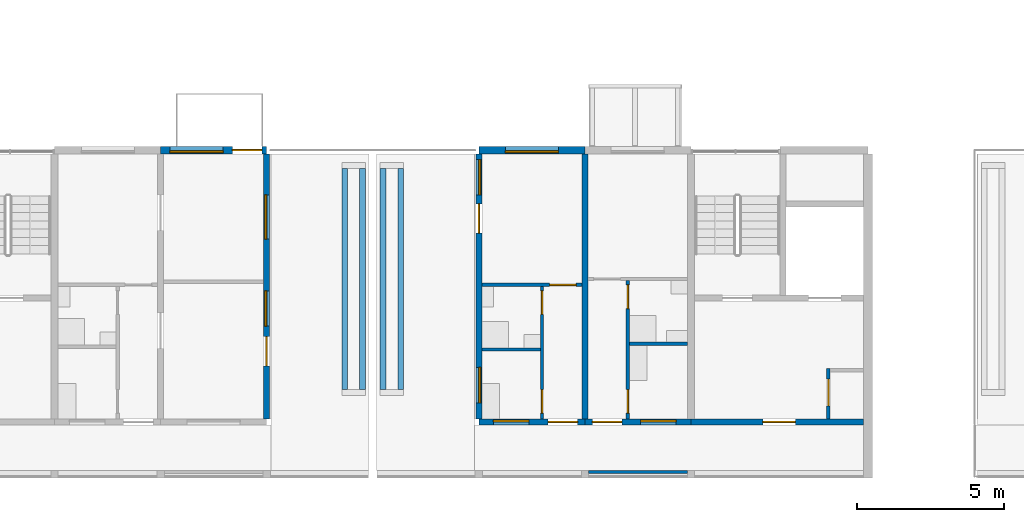
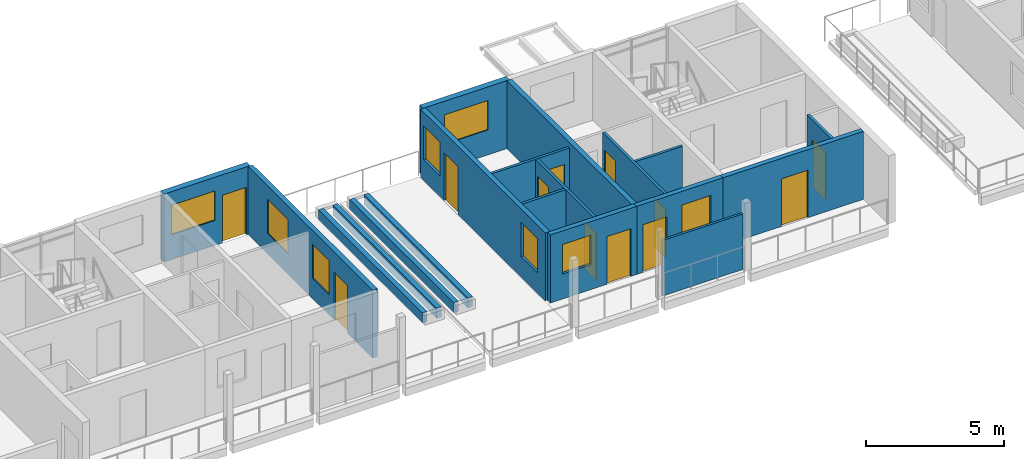
# One storey, part 32 of 55: 19 walls, 12 doors, 8 windows, 20 openings.
"""IFC4 building model written with IfcOpenShell, lengths in metres."""

from ifc_helpers import new_model, si_unit, direction, frame, frame_2d, origin, place, context, subcontext, project, spatial, rectangle, extrude, material, layer, layer_set, type_object, element, fill, save


model = new_model("IFC4")

# Units and contexts
model_context = context("Model", 3, precision=1e-05, world=origin(), true_north=direction((0.0, 1.0)))
body_context = subcontext(model_context, "Body", "Model", "MODEL_VIEW")
ifc_project = project(units=[si_unit("LENGTHUNIT", "METRE"), si_unit("AREAUNIT", "SQUARE_METRE"), si_unit("VOLUMEUNIT", "CUBIC_METRE"), si_unit("PLANEANGLEUNIT", "RADIAN"), si_unit("MASSUNIT", "GRAM", prefix="KILO")], contexts=[model_context])

# Site, building, storey
site_placement = place(None, origin())
site = spatial("IfcSite", under=ifc_project, at=site_placement, CompositionType="ELEMENT")
building_placement = place(site_placement, origin())
building = spatial("IfcBuilding", under=site, at=building_placement, Name="Ridgestep Commons", CompositionType="ELEMENT")
storey_placement = place(building_placement, frame((0.0, 0.0, 36.0)))
storey = spatial("IfcBuildingStorey", under=building, at=storey_placement, Name="L12", CompositionType="ELEMENT", Elevation=36.0)

# Wall, opening, door
ifc_material_1 = material(Name="Concrete C30/37", Category="concrete")
ifc_layer_1 = layer(ifc_material_1, 0.199951171875)
ifc_layer_set_1 = layer_set([ifc_layer_1], Name="Core south wall 200")
wall_type_1 = type_object("IfcWallType", Name="Core south wall 200", PredefinedType="SHEAR", material=ifc_layer_set_1)
wall_1_placement = place(storey_placement, frame((191.199951171875, 13.64990234375, 0.0), z_axis=(0.0, 0.0, 1.0), x_axis=(1.0, 0.0, 0.0)))
wall_1 = element("IfcWall", 1, at=wall_1_placement, inside=storey, type_object=wall_type_1, Name="Core south wall D3C L12", PredefinedType="SHEAR", context=body_context, shape_type="SweptSolid", body=[
    extrude(rectangle(XDim=5.85009765625, YDim=0.199951171875, at=frame_2d((2.925048828125, 0.0))), origin(), (0.0, 0.0, 1.0), 3.0),
])
opening_1_placement = place(wall_1_placement, frame((2.4375, 0.0, 0.0)))
opening_1 = element("IfcOpeningElement", 2, at=opening_1_placement, cuts=wall_1, Name="Opening D3C/12/1", PredefinedType="OPENING", context=body_context, shape_type="SweptSolid", body=[
    extrude(rectangle(XDim=1.10009765625, YDim=2.10009765625, at=frame_2d((0.550048828125, 1.050048828125))), frame((0.0, 0.10986328125, 0.0), z_axis=(0.0, -1.0, 0.0), x_axis=(1.0, 0.0, 0.0)), (0.0, 0.0, 1.0), 0.219970703125),
])
ifc_material_2 = material(Name="Steel fire door", Category="steel")
door_type_1 = type_object("IfcDoorType", Name="Lobby door 1100 x 2100 FD60", OperationType="NOTDEFINED", PredefinedType="DOOR", material=ifc_material_2)
door_1_placement = place(opening_1_placement, origin())
door_1 = element("IfcDoor", 3, at=door_1_placement, inside=storey, type_object=door_type_1, Name="Lobby door D3C/12/1", OperationType="SINGLE_SWING_LEFT", OverallHeight=2.10009765625, OverallWidth=1.10009765625, PredefinedType="DOOR", context=body_context, shape_type="SweptSolid", body=[
    extrude(rectangle(XDim=1.10009765625, YDim=2.10009765625, at=frame_2d((0.550048828125, 1.050048828125))), frame((0.0, 0.02490234375, 0.0), z_axis=(0.0, -1.0, 0.0), x_axis=(1.0, 0.0, 0.0)), (0.0, 0.0, 1.0), 0.050048828125),
])
fill(opening_1, door_1)

ifc_material_3 = material(Name="Concrete C30/37", Category="concrete")
ifc_layer_2 = layer(ifc_material_3, 0.1201171875)
ifc_layer_set_2 = layer_set([ifc_layer_2], Name="Core wall 120")
wall_type_2 = type_object("IfcWallType", Name="Core wall 120", PredefinedType="SHEAR", material=ifc_layer_set_2)
wall_2_placement = place(storey_placement, frame((195.860107421875, 13.75, 0.0), z_axis=(0.0, 0.0, 1.0), x_axis=(0.0, 1.0, 0.0)))
wall_2 = element("IfcWall", 4, at=wall_2_placement, inside=storey, type_object=wall_type_2, Name="Core riser w wall D3C L12", PredefinedType="SHEAR", context=body_context, shape_type="SweptSolid", body=[
    extrude(rectangle(XDim=1.719970703125, YDim=0.1201171875, at=frame_2d((0.85986328125, 0.0))), origin(), (0.0, 0.0, 1.0), 3.0),
])
opening_2_placement = place(wall_2_placement, frame((0.449951171875, 0.0, 0.0)))
opening_2 = element("IfcOpeningElement", 5, at=opening_2_placement, cuts=wall_2, Name="Opening D3C/12/4", PredefinedType="OPENING", context=body_context, shape_type="SweptSolid", body=[
    extrude(rectangle(XDim=0.89990234375, YDim=2.10009765625, at=frame_2d((0.449951171875, 1.050048828125))), frame((0.0, 0.070068359375, 0.0), z_axis=(0.0, -1.0, 0.0), x_axis=(1.0, 0.0, 0.0)), (0.0, 0.0, 1.0), 0.14013671875),
])
ifc_material_4 = material(Name="Steel fire door", Category="steel")
door_type_2 = type_object("IfcDoorType", Name="Riser door 900 x 2100 FD60", OperationType="NOTDEFINED", PredefinedType="DOOR", material=ifc_material_4)
door_2_placement = place(opening_2_placement, origin())
door_2 = element("IfcDoor", 6, at=door_2_placement, inside=storey, type_object=door_type_2, Name="Riser door D3C/12/4", OperationType="SINGLE_SWING_LEFT", OverallHeight=2.10009765625, OverallWidth=0.89990234375, PredefinedType="DOOR", context=body_context, shape_type="SweptSolid", body=[
    extrude(rectangle(XDim=0.89990234375, YDim=2.10009765625, at=frame_2d((0.449951171875, 1.050048828125))), frame((0.0, 0.02490234375, 0.0), z_axis=(0.0, -1.0, 0.0), x_axis=(1.0, 0.0, 0.0)), (0.0, 0.0, 1.0), 0.050048828125),
])
fill(opening_2, door_2)

# Wall
ifc_material_5 = material(Name="Precast concrete C40/50", Category="concrete")
ifc_layer_3 = layer(ifc_material_5, 0.199951171875)
ifc_layer_set_3 = layer_set([ifc_layer_3], Name="Cross wall 200")
wall_type_3 = type_object("IfcWallType", Name="Cross wall 200", PredefinedType="SHEAR", material=ifc_layer_set_3)
wall_3_placement = place(storey_placement, frame((187.60009765625, 13.75, 0.0), z_axis=(0.0, 0.0, 1.0), x_axis=(0.0, 1.0, 0.0)))
element("IfcWall", 7, at=wall_3_placement, inside=storey, type_object=wall_type_3, Name="Cross wall D-12-1876", PredefinedType="SHEAR", context=body_context, shape_type="SweptSolid", body=[
    extrude(rectangle(XDim=9.0, YDim=0.199951171875, at=frame_2d((4.5, 0.0))), origin(), (0.0, 0.0, 1.0), 3.0),
])

# Wall, openings, windows, door
ifc_material_6 = material(Name="Precast concrete C40/50", Category="concrete")
ifc_layer_4 = layer(ifc_material_6, 0.199951171875)
ifc_layer_set_4 = layer_set([ifc_layer_4], Name="Exposed cross wall 200")
wall_type_4 = type_object("IfcWallType", Name="Exposed cross wall 200", PredefinedType="SHEAR", material=ifc_layer_set_4)
wall_4_placement = place(storey_placement, frame((176.800048828125, 13.75, 0.0), z_axis=(0.0, 0.0, 1.0), x_axis=(0.0, 1.0, 0.0)))
wall_4 = element("IfcWall", 8, at=wall_4_placement, inside=storey, type_object=wall_type_4, Name="Cross wall D-12-1768", PredefinedType="SHEAR", context=body_context, shape_type="SweptSolid", body=[
    extrude(rectangle(XDim=9.0, YDim=0.199951171875, at=frame_2d((4.5, 0.0))), origin(), (0.0, 0.0, 1.0), 3.0),
])
opening_3_placement = place(wall_4_placement, frame((3.14990234375, 0.0, 0.89990234375)))
opening_3 = element("IfcOpeningElement", 9, at=opening_3_placement, cuts=wall_4, Name="Opening W10", PredefinedType="OPENING", context=body_context, shape_type="SweptSolid", body=[
    extrude(rectangle(XDim=1.199951171875, YDim=1.5, at=frame_2d((0.60009765625, 0.75))), frame((0.0, 0.10986328125, 0.0), z_axis=(0.0, -1.0, 0.0), x_axis=(1.0, 0.0, 0.0)), (0.0, 0.0, 1.0), 0.219970703125),
])
opening_4_placement = place(wall_4_placement, frame((6.10498046875, 0.0, 0.89990234375)))
opening_4 = element("IfcOpeningElement", 10, at=opening_4_placement, cuts=wall_4, Name="Opening W16", PredefinedType="OPENING", context=body_context, shape_type="SweptSolid", body=[
    extrude(rectangle(XDim=1.5, YDim=1.5, at=frame_2d((0.75, 0.75))), frame((0.0, 0.10986328125, 0.0), z_axis=(0.0, -1.0, 0.0), x_axis=(1.0, 0.0, 0.0)), (0.0, 0.0, 1.0), 0.219970703125),
])
opening_5_placement = place(wall_4_placement, frame((1.800048828125, 0.0, 0.0)))
opening_5 = element("IfcOpeningElement", 11, at=opening_5_placement, cuts=wall_4, Name="Opening D2-12a/7", PredefinedType="OPENING", context=body_context, shape_type="SweptSolid", body=[
    extrude(rectangle(XDim=1.0, YDim=2.10009765625, at=frame_2d((0.5, 1.050048828125))), frame((0.0, 0.10986328125, 0.0), z_axis=(0.0, -1.0, 0.0), x_axis=(1.0, 0.0, 0.0)), (0.0, 0.0, 1.0), 0.219970703125),
])
ifc_material_7 = material(Name="Aluminium 6063-T6 and glass", Category="aluminium")
window_type_1 = type_object("IfcWindowType", Name="Flat window 1200 x 1500", PartitioningType="SINGLE_PANEL", PredefinedType="WINDOW", material=ifc_material_7)
window_1_placement = place(opening_3_placement, origin())
window_1 = element("IfcWindow", 12, at=window_1_placement, inside=storey, type_object=window_type_1, Name="Window D2-12a 5", OverallHeight=1.5, OverallWidth=1.199951171875, PartitioningType="SINGLE_PANEL", PredefinedType="WINDOW", context=body_context, shape_type="SweptSolid", body=[
    extrude(rectangle(XDim=1.199951171875, YDim=1.5, at=frame_2d((0.60009765625, 0.75))), frame((0.0, 0.06005859375, 0.0), z_axis=(0.0, -1.0, 0.0), x_axis=(1.0, 0.0, 0.0)), (0.0, 0.0, 1.0), 0.06005859375),
])
fill(opening_3, window_1)
ifc_material_8 = material(Name="Aluminium 6063-T6 and glass", Category="aluminium")
window_type_2 = type_object("IfcWindowType", Name="Flat window 1500 x 1500", PartitioningType="DOUBLE_PANEL_VERTICAL", PredefinedType="WINDOW", material=ifc_material_8)
window_2_placement = place(opening_4_placement, origin())
window_2 = element("IfcWindow", 13, at=window_2_placement, inside=storey, type_object=window_type_2, Name="Window D2-12a 6", OverallHeight=1.5, OverallWidth=1.5, PartitioningType="SINGLE_PANEL", PredefinedType="WINDOW", context=body_context, shape_type="SweptSolid", body=[
    extrude(rectangle(XDim=1.5, YDim=1.5, at=frame_2d((0.75, 0.75))), frame((0.0, 0.06005859375, 0.0), z_axis=(0.0, -1.0, 0.0), x_axis=(1.0, 0.0, 0.0)), (0.0, 0.0, 1.0), 0.06005859375),
])
fill(opening_4, window_2)
ifc_material_9 = material(Name="Aluminium and glass", Category="aluminium")
door_type_3 = type_object("IfcDoorType", Name="Terrace door 1000 x 2100", OperationType="NOTDEFINED", PredefinedType="DOOR", material=ifc_material_9)
door_3_placement = place(opening_5_placement, origin())
door_3 = element("IfcDoor", 14, at=door_3_placement, inside=storey, type_object=door_type_3, Name="Terrace door D2-12a/7", OperationType="SINGLE_SWING_LEFT", OverallHeight=2.10009765625, OverallWidth=1.0, PredefinedType="DOOR", context=body_context, shape_type="SweptSolid", body=[
    extrude(rectangle(XDim=1.0, YDim=2.10009765625, at=frame_2d((0.5, 1.050048828125))), frame((0.0, 0.02490234375, 0.0), z_axis=(0.0, -1.0, 0.0), x_axis=(1.0, 0.0, 0.0)), (0.0, 0.0, 1.0), 0.050048828125),
])
fill(opening_5, door_3)

wall_5_placement = place(storey_placement, frame((184.0, 13.75, 0.0), z_axis=(0.0, 0.0, 1.0), x_axis=(0.0, 1.0, 0.0)))
wall_5 = element("IfcWall", 15, at=wall_5_placement, inside=storey, type_object=wall_type_4, Name="Cross wall D-12-1840", PredefinedType="SHEAR", context=body_context, shape_type="SweptSolid", body=[
    extrude(rectangle(XDim=9.0, YDim=0.199951171875, at=frame_2d((4.5, 0.0))), origin(), (0.0, 0.0, 1.0), 3.0),
])
opening_6_placement = place(wall_5_placement, frame((0.550048828125, 0.0, 0.89990234375)))
opening_6 = element("IfcOpeningElement", 16, at=opening_6_placement, cuts=wall_5, Name="Opening W10", PredefinedType="OPENING", context=body_context, shape_type="SweptSolid", body=[
    extrude(rectangle(XDim=1.199951171875, YDim=1.5, at=frame_2d((0.60009765625, 0.75))), frame((0.0, 0.10986328125, 0.0), z_axis=(0.0, -1.0, 0.0), x_axis=(1.0, 0.0, 0.0)), (0.0, 0.0, 1.0), 0.219970703125),
])
opening_7_placement = place(wall_5_placement, frame((7.6025390625, 0.0, 0.89990234375)))
opening_7 = element("IfcOpeningElement", 17, at=opening_7_placement, cuts=wall_5, Name="Opening W10", PredefinedType="OPENING", context=body_context, shape_type="SweptSolid", body=[
    extrude(rectangle(XDim=1.199951171875, YDim=1.5, at=frame_2d((0.60009765625, 0.75))), frame((0.0, 0.10986328125, 0.0), z_axis=(0.0, -1.0, 0.0), x_axis=(1.0, 0.0, 0.0)), (0.0, 0.0, 1.0), 0.219970703125),
])
opening_8_placement = place(wall_5_placement, frame((6.304931640625, 0.0, 0.0)))
opening_8 = element("IfcOpeningElement", 18, at=opening_8_placement, cuts=wall_5, Name="Opening D3-12a/5", PredefinedType="OPENING", context=body_context, shape_type="SweptSolid", body=[
    extrude(rectangle(XDim=1.0, YDim=2.10009765625, at=frame_2d((0.5, 1.050048828125))), frame((0.0, 0.10986328125, 0.0), z_axis=(0.0, -1.0, 0.0), x_axis=(1.0, 0.0, 0.0)), (0.0, 0.0, 1.0), 0.219970703125),
])
window_3_placement = place(opening_6_placement, origin())
window_3 = element("IfcWindow", 19, at=window_3_placement, inside=storey, type_object=window_type_1, Name="Window D3-12a 3", OverallHeight=1.5, OverallWidth=1.199951171875, PartitioningType="SINGLE_PANEL", PredefinedType="WINDOW", context=body_context, shape_type="SweptSolid", body=[
    extrude(rectangle(XDim=1.199951171875, YDim=1.5, at=frame_2d((0.60009765625, 0.75))), frame((0.0, 0.0, 0.0), z_axis=(0.0, -1.0, 0.0), x_axis=(1.0, 0.0, 0.0)), (0.0, 0.0, 1.0), 0.06005859375),
])
fill(opening_6, window_3)
window_4_placement = place(opening_7_placement, origin())
window_4 = element("IfcWindow", 20, at=window_4_placement, inside=storey, type_object=window_type_1, Name="Window D3-12a 4", OverallHeight=1.5, OverallWidth=1.199951171875, PartitioningType="SINGLE_PANEL", PredefinedType="WINDOW", context=body_context, shape_type="SweptSolid", body=[
    extrude(rectangle(XDim=1.199951171875, YDim=1.5, at=frame_2d((0.60009765625, 0.75))), frame((0.0, 0.0, 0.0), z_axis=(0.0, -1.0, 0.0), x_axis=(1.0, 0.0, 0.0)), (0.0, 0.0, 1.0), 0.06005859375),
])
fill(opening_7, window_4)
door_4_placement = place(opening_8_placement, origin())
door_4 = element("IfcDoor", 21, at=door_4_placement, inside=storey, type_object=door_type_3, Name="Terrace door D3-12a/5", OperationType="SINGLE_SWING_RIGHT", OverallHeight=2.10009765625, OverallWidth=1.0, PredefinedType="DOOR", context=body_context, shape_type="SweptSolid", body=[
    extrude(rectangle(XDim=1.0, YDim=2.10009765625, at=frame_2d((0.5, 1.050048828125))), frame((0.0, 0.02490234375, 0.0), z_axis=(0.0, -1.0, 0.0), x_axis=(1.0, 0.0, 0.0)), (0.0, 0.0, 1.0), 0.050048828125),
])
fill(opening_8, door_4)

# Wall, openings, door, window
ifc_material_10 = material(Name="Precast concrete C40/50", Category="concrete")
ifc_layer_5 = layer(ifc_material_10, 0.25)
ifc_layer_set_5 = layer_set([ifc_layer_5], Name="North facade panel 250")
wall_type_5 = type_object("IfcWallType", Name="North facade panel 250", PredefinedType="SOLIDWALL", material=ifc_layer_set_5)
wall_6_placement = place(storey_placement, frame((173.199951171875, 22.875, 0.0), z_axis=(0.0, 0.0, 1.0), x_axis=(1.0, 0.0, 0.0)))
wall_6 = element("IfcWall", 22, at=wall_6_placement, inside=storey, type_object=wall_type_5, Name="North panel D2T2 L12", PredefinedType="SOLIDWALL", context=body_context, shape_type="SweptSolid", body=[
    extrude(rectangle(XDim=3.60009765625, YDim=0.25, at=frame_2d((1.800048828125, 0.0))), origin(), (0.0, 0.0, 1.0), 3.0),
])
opening_9_placement = place(wall_6_placement, frame((0.319091796875, 0.0, 1.10009765625)))
opening_9 = element("IfcOpeningElement", 23, at=opening_9_placement, cuts=wall_6, Name="Opening W18", PredefinedType="OPENING", context=body_context, shape_type="SweptSolid", body=[
    extrude(rectangle(XDim=1.800048828125, YDim=1.300048828125, at=frame_2d((0.89990234375, 0.64990234375))), frame((0.0, 0.135009765625, 0.0), z_axis=(0.0, -1.0, 0.0), x_axis=(1.0, 0.0, 0.0)), (0.0, 0.0, 1.0), 0.27001953125),
])
opening_10_placement = place(wall_6_placement, frame((2.43798828125, 0.0, 0.0)))
opening_10 = element("IfcOpeningElement", 24, at=opening_10_placement, cuts=wall_6, Name="Opening D2-12a/8", PredefinedType="OPENING", context=body_context, shape_type="SweptSolid", body=[
    extrude(rectangle(XDim=1.0, YDim=2.10009765625, at=frame_2d((0.5, 1.050048828125))), frame((0.0, 0.135009765625, 0.0), z_axis=(0.0, -1.0, 0.0), x_axis=(1.0, 0.0, 0.0)), (0.0, 0.0, 1.0), 0.27001953125),
])
ifc_material_11 = material(Name="Aluminium and glass", Category="aluminium")
door_type_4 = type_object("IfcDoorType", Name="Balcony door 1000 x 2100", OperationType="NOTDEFINED", PredefinedType="DOOR", material=ifc_material_11)
door_5_placement = place(opening_10_placement, origin())
door_5 = element("IfcDoor", 25, at=door_5_placement, inside=storey, type_object=door_type_4, Name="Balcony door D2-12a/8", OperationType="SINGLE_SWING_LEFT", OverallHeight=2.10009765625, OverallWidth=1.0, PredefinedType="DOOR", context=body_context, shape_type="SweptSolid", body=[
    extrude(rectangle(XDim=1.0, YDim=2.10009765625, at=frame_2d((0.5, 1.050048828125))), frame((0.0, 0.02490234375, 0.0), z_axis=(0.0, -1.0, 0.0), x_axis=(1.0, 0.0, 0.0)), (0.0, 0.0, 1.0), 0.050048828125),
])
fill(opening_10, door_5)
ifc_material_12 = material(Name="Aluminium 6063-T6 and glass", Category="aluminium")
window_type_3 = type_object("IfcWindowType", Name="Flat window 1800 x 1300", PartitioningType="DOUBLE_PANEL_VERTICAL", PredefinedType="WINDOW", material=ifc_material_12)
window_5_placement = place(opening_9_placement, origin())
window_5 = element("IfcWindow", 26, at=window_5_placement, inside=storey, type_object=window_type_3, Name="Window D2-12a 2", OverallHeight=1.300048828125, OverallWidth=1.800048828125, PartitioningType="SINGLE_PANEL", PredefinedType="WINDOW", context=body_context, shape_type="SweptSolid", body=[
    extrude(rectangle(XDim=1.800048828125, YDim=1.300048828125, at=frame_2d((0.89990234375, 0.64990234375))), frame((0.0, -0.02490234375, 0.0), z_axis=(0.0, -1.0, 0.0), x_axis=(1.0, 0.0, 0.0)), (0.0, 0.0, 1.0), 0.06005859375),
])
fill(opening_9, window_5)

# Wall, opening, window
wall_7_placement = place(storey_placement, frame((184.0, 22.875, 0.0), z_axis=(0.0, 0.0, 1.0), x_axis=(1.0, 0.0, 0.0)))
wall_7 = element("IfcWall", 27, at=wall_7_placement, inside=storey, type_object=wall_type_5, Name="North panel D3T2 L12", PredefinedType="SOLIDWALL", context=body_context, shape_type="SweptSolid", body=[
    extrude(rectangle(XDim=3.60009765625, YDim=0.25, at=frame_2d((1.800048828125, 0.0))), origin(), (0.0, 0.0, 1.0), 3.0),
])
opening_11_placement = place(wall_7_placement, frame((0.89990234375, 0.0, 1.10009765625)))
opening_11 = element("IfcOpeningElement", 28, at=opening_11_placement, cuts=wall_7, Name="Opening W18", PredefinedType="OPENING", context=body_context, shape_type="SweptSolid", body=[
    extrude(rectangle(XDim=1.800048828125, YDim=1.300048828125, at=frame_2d((0.89990234375, 0.64990234375))), frame((0.0, 0.135009765625, 0.0), z_axis=(0.0, -1.0, 0.0), x_axis=(1.0, 0.0, 0.0)), (0.0, 0.0, 1.0), 0.27001953125),
])
window_6_placement = place(opening_11_placement, origin())
window_6 = element("IfcWindow", 29, at=window_6_placement, inside=storey, type_object=window_type_3, Name="Window D3-12a 2", OverallHeight=1.300048828125, OverallWidth=1.800048828125, PartitioningType="SINGLE_PANEL", PredefinedType="WINDOW", context=body_context, shape_type="SweptSolid", body=[
    extrude(rectangle(XDim=1.800048828125, YDim=1.300048828125, at=frame_2d((0.89990234375, 0.64990234375))), frame((0.0, -0.02490234375, 0.0), z_axis=(0.0, -1.0, 0.0), x_axis=(1.0, 0.0, 0.0)), (0.0, 0.0, 1.0), 0.06005859375),
])
fill(opening_11, window_6)

# Wall
ifc_material_13 = material(Name="Common brick 110 mm", Category="masonry")
ifc_layer_6 = layer(ifc_material_13, 0.110107421875)
ifc_layer_set_6 = layer_set([ifc_layer_6], Name="Partition 110")
wall_type_6 = type_object("IfcWallType", Name="Partition 110", PredefinedType="PARTITIONING", material=ifc_layer_set_6)
wall_8_placement = place(storey_placement, frame((184.10009765625, 16.10498046875, 0.0), z_axis=(0.0, 0.0, 1.0), x_axis=(1.0, 0.0, 0.0)))
element("IfcWall", 30, at=wall_8_placement, inside=storey, type_object=wall_type_6, Name="Partition D3-12a", PredefinedType="PARTITIONING", context=body_context, shape_type="SweptSolid", body=[
    extrude(rectangle(XDim=1.989990234375, YDim=0.110107421875, at=frame_2d((0.9951171875, 0.0))), origin(), (0.0, 0.0, 1.0), 2.75),
])

# Wall, openings, doors
wall_9_placement = place(storey_placement, frame((186.14501953125, 13.75, 0.0), z_axis=(0.0, 0.0, 1.0), x_axis=(0.0, 1.0, 0.0)))
wall_9 = element("IfcWall", 31, at=wall_9_placement, inside=storey, type_object=wall_type_6, Name="Partition D3-12a", PredefinedType="PARTITIONING", context=body_context, shape_type="SweptSolid", body=[
    extrude(rectangle(XDim=4.5, YDim=0.110107421875, at=frame_2d((2.25, 0.0))), origin(), (0.0, 0.0, 1.0), 2.75),
])
opening_12_placement = place(wall_9_placement, frame((0.199951171875, 0.0, 0.0)))
opening_12 = element("IfcOpeningElement", 32, at=opening_12_placement, cuts=wall_9, Name="Opening D3-12a/2", PredefinedType="OPENING", context=body_context, shape_type="SweptSolid", body=[
    extrude(rectangle(XDim=0.800048828125, YDim=2.10009765625, at=frame_2d((0.39990234375, 1.050048828125))), frame((0.0, 0.06494140625, 0.0), z_axis=(0.0, -1.0, 0.0), x_axis=(1.0, 0.0, 0.0)), (0.0, 0.0, 1.0), 0.130126953125),
])
opening_13_placement = place(wall_9_placement, frame((3.550048828125, 0.0, 0.0)))
opening_13 = element("IfcOpeningElement", 33, at=opening_13_placement, cuts=wall_9, Name="Opening D3-12a/3", PredefinedType="OPENING", context=body_context, shape_type="SweptSolid", body=[
    extrude(rectangle(XDim=0.800048828125, YDim=2.10009765625, at=frame_2d((0.39990234375, 1.050048828125))), frame((0.0, 0.06494140625, 0.0), z_axis=(0.0, -1.0, 0.0), x_axis=(1.0, 0.0, 0.0)), (0.0, 0.0, 1.0), 0.130126953125),
])
ifc_material_14 = material(Name="Timber door leaf", Category="wood")
door_type_5 = type_object("IfcDoorType", Name="Internal door 800 x 2100", OperationType="NOTDEFINED", PredefinedType="DOOR", material=ifc_material_14)
door_6_placement = place(opening_12_placement, origin())
door_6 = element("IfcDoor", 34, at=door_6_placement, inside=storey, type_object=door_type_5, Name="Internal door D3-12a/2", OperationType="SINGLE_SWING_LEFT", OverallHeight=2.10009765625, OverallWidth=0.800048828125, PredefinedType="DOOR", context=body_context, shape_type="SweptSolid", body=[
    extrude(rectangle(XDim=0.800048828125, YDim=2.10009765625, at=frame_2d((0.39990234375, 1.050048828125))), frame((0.0, 0.02490234375, 0.0), z_axis=(0.0, -1.0, 0.0), x_axis=(1.0, 0.0, 0.0)), (0.0, 0.0, 1.0), 0.050048828125),
])
fill(opening_12, door_6)
door_7_placement = place(opening_13_placement, origin())
door_7 = element("IfcDoor", 35, at=door_7_placement, inside=storey, type_object=door_type_5, Name="Internal door D3-12a/3", OperationType="SINGLE_SWING_RIGHT", OverallHeight=2.10009765625, OverallWidth=0.800048828125, PredefinedType="DOOR", context=body_context, shape_type="SweptSolid", body=[
    extrude(rectangle(XDim=0.800048828125, YDim=2.10009765625, at=frame_2d((0.39990234375, 1.050048828125))), frame((0.0, 0.02490234375, 0.0), z_axis=(0.0, -1.0, 0.0), x_axis=(1.0, 0.0, 0.0)), (0.0, 0.0, 1.0), 0.050048828125),
])
fill(opening_13, door_7)

# Wall, opening, door
wall_10_placement = place(storey_placement, frame((184.10009765625, 18.304931640625, 0.0), z_axis=(0.0, 0.0, 1.0), x_axis=(1.0, 0.0, 0.0)))
wall_10 = element("IfcWall", 36, at=wall_10_placement, inside=storey, type_object=wall_type_6, Name="Partition D3-12a", PredefinedType="PARTITIONING", context=body_context, shape_type="SweptSolid", body=[
    extrude(rectangle(XDim=3.39990234375, YDim=0.110107421875, at=frame_2d((1.699951171875, 0.0))), origin(), (0.0, 0.0, 1.0), 2.75),
])
opening_14_placement = place(wall_10_placement, frame((2.300048828125, 0.0, 0.0)))
opening_14 = element("IfcOpeningElement", 37, at=opening_14_placement, cuts=wall_10, Name="Opening D3-12a/4", PredefinedType="OPENING", context=body_context, shape_type="SweptSolid", body=[
    extrude(rectangle(XDim=0.89990234375, YDim=2.10009765625, at=frame_2d((0.449951171875, 1.050048828125))), frame((0.0, 0.06494140625, 0.0), z_axis=(0.0, -1.0, 0.0), x_axis=(1.0, 0.0, 0.0)), (0.0, 0.0, 1.0), 0.130126953125),
])
ifc_material_15 = material(Name="Timber door leaf", Category="wood")
door_type_6 = type_object("IfcDoorType", Name="Internal door 900 x 2100", OperationType="NOTDEFINED", PredefinedType="DOOR", material=ifc_material_15)
door_8_placement = place(opening_14_placement, origin())
door_8 = element("IfcDoor", 38, at=door_8_placement, inside=storey, type_object=door_type_6, Name="Internal door D3-12a/4", OperationType="SINGLE_SWING_LEFT", OverallHeight=2.10009765625, OverallWidth=0.89990234375, PredefinedType="DOOR", context=body_context, shape_type="SweptSolid", body=[
    extrude(rectangle(XDim=0.89990234375, YDim=2.10009765625, at=frame_2d((0.449951171875, 1.050048828125))), frame((0.0, 0.02490234375, 0.0), z_axis=(0.0, -1.0, 0.0), x_axis=(1.0, 0.0, 0.0)), (0.0, 0.0, 1.0), 0.050048828125),
])
fill(opening_14, door_8)

# Wall, openings, doors
wall_11_placement = place(storey_placement, frame((189.054931640625, 13.75, 0.0), z_axis=(0.0, 0.0, 1.0), x_axis=(0.0, 1.0, 0.0)))
wall_11 = element("IfcWall", 39, at=wall_11_placement, inside=storey, type_object=wall_type_6, Name="Partition D3-12b", PredefinedType="PARTITIONING", context=body_context, shape_type="SweptSolid", body=[
    extrude(rectangle(XDim=4.699951171875, YDim=0.110107421875, at=frame_2d((2.35009765625, 0.0))), origin(), (0.0, 0.0, 1.0), 2.800048828125),
])
opening_15_placement = place(wall_11_placement, frame((0.199951171875, 0.0, 0.0)))
opening_15 = element("IfcOpeningElement", 40, at=opening_15_placement, cuts=wall_11, Name="Opening D3-12b/2", PredefinedType="OPENING", context=body_context, shape_type="SweptSolid", body=[
    extrude(rectangle(XDim=0.800048828125, YDim=2.10009765625, at=frame_2d((0.39990234375, 1.050048828125))), frame((0.0, 0.06494140625, 0.0), z_axis=(0.0, -1.0, 0.0), x_axis=(1.0, 0.0, 0.0)), (0.0, 0.0, 1.0), 0.130126953125),
])
opening_16_placement = place(wall_11_placement, frame((3.75, 0.0, 0.0)))
opening_16 = element("IfcOpeningElement", 41, at=opening_16_placement, cuts=wall_11, Name="Opening D3-12b/3", PredefinedType="OPENING", context=body_context, shape_type="SweptSolid", body=[
    extrude(rectangle(XDim=0.800048828125, YDim=2.10009765625, at=frame_2d((0.39990234375, 1.050048828125))), frame((0.0, 0.06494140625, 0.0), z_axis=(0.0, -1.0, 0.0), x_axis=(1.0, 0.0, 0.0)), (0.0, 0.0, 1.0), 0.130126953125),
])
door_9_placement = place(opening_15_placement, origin())
door_9 = element("IfcDoor", 42, at=door_9_placement, inside=storey, type_object=door_type_5, Name="Internal door D3-12b/2", OperationType="SINGLE_SWING_RIGHT", OverallHeight=2.10009765625, OverallWidth=0.800048828125, PredefinedType="DOOR", context=body_context, shape_type="SweptSolid", body=[
    extrude(rectangle(XDim=0.800048828125, YDim=2.10009765625, at=frame_2d((0.39990234375, 1.050048828125))), frame((0.0, 0.02490234375, 0.0), z_axis=(0.0, -1.0, 0.0), x_axis=(1.0, 0.0, 0.0)), (0.0, 0.0, 1.0), 0.050048828125),
])
fill(opening_15, door_9)
door_10_placement = place(opening_16_placement, origin())
door_10 = element("IfcDoor", 43, at=door_10_placement, inside=storey, type_object=door_type_5, Name="Internal door D3-12b/3", OperationType="SINGLE_SWING_LEFT", OverallHeight=2.10009765625, OverallWidth=0.800048828125, PredefinedType="DOOR", context=body_context, shape_type="SweptSolid", body=[
    extrude(rectangle(XDim=0.800048828125, YDim=2.10009765625, at=frame_2d((0.39990234375, 1.050048828125))), frame((0.0, 0.02490234375, 0.0), z_axis=(0.0, -1.0, 0.0), x_axis=(1.0, 0.0, 0.0)), (0.0, 0.0, 1.0), 0.050048828125),
])
fill(opening_16, door_10)

# Walls
wall_12_placement = place(storey_placement, frame((189.110107421875, 16.304931640625, 0.0), z_axis=(0.0, 0.0, 1.0), x_axis=(1.0, 0.0, 0.0)))
element("IfcWall", 44, at=wall_12_placement, inside=storey, type_object=wall_type_6, Name="Partition D3-12b", PredefinedType="PARTITIONING", context=body_context, shape_type="SweptSolid", body=[
    extrude(rectangle(XDim=1.96484375, YDim=0.110107421875, at=frame_2d((0.982421875, 0.0))), origin(), (0.0, 0.0, 1.0), 2.800048828125),
])
ifc_material_16 = material(Name="Precast concrete C30/37", Category="concrete")
ifc_layer_7 = layer(ifc_material_16, 0.10009765625)
ifc_layer_set_7 = layer_set([ifc_layer_7], Name="Perforated gallery screen 3350 x 2450 x 100")
wall_type_7 = type_object("IfcWallType", Name="Perforated gallery screen 3350 x 2450 x 100", PredefinedType="SOLIDWALL", material=ifc_layer_set_7)
wall_13_placement = place(storey_placement, frame((187.72509765625, 11.949951171875, 0.0), z_axis=(0.0, 0.0, 1.0), x_axis=(1.0, 0.0, 0.0)))
element("IfcWall", 45, at=wall_13_placement, inside=storey, type_object=wall_type_7, Name="Gallery screen D3T3 12", PredefinedType="SOLIDWALL", context=body_context, shape_type="SweptSolid", body=[
    extrude(rectangle(XDim=3.349853515625, YDim=0.10009765625, at=frame_2d((1.6748046875, 0.0))), origin(), (0.0, 0.0, 1.0), 2.449951171875),
])
ifc_material_17 = material(Name="Facing brick", Category="masonry")
ifc_layer_8 = layer(ifc_material_17, 0.199951171875)
ifc_layer_set_8 = layer_set([ifc_layer_8], Name="Planter wall 200")
wall_type_8 = type_object("IfcWallType", Name="Planter wall 200", PredefinedType="SOLIDWALL", material=ifc_layer_set_8)
for number, where, z_axis, x_axis, name in (
    (46, (179.449951171875, 14.75, 0.010009765625), (0.0, 0.0, 1.0), (0.0, 1.0, 0.0), "Planter wall D2R1W"),
    (47, (180.050048828125, 14.75, 0.010009765625), (0.0, 0.0, 1.0), (0.0, 1.0, 0.0), "Planter wall D2R1E"),
    (48, (180.75, 14.75, 0.010009765625), (0.0, 0.0, 1.0), (0.0, 1.0, 0.0), "Planter wall D3R1W"),
    (49, (181.35009765625, 14.75, 0.010009765625), (0.0, 0.0, 1.0), (0.0, 1.0, 0.0), "Planter wall D3R1E"),
):
    element("IfcWall", number, at=place(storey_placement, frame(where, z_axis=z_axis, x_axis=x_axis)), inside=storey, type_object=wall_type_8, Name=name, PredefinedType="SOLIDWALL", context=body_context, shape_type="SweptSolid", body=[
        extrude(rectangle(XDim=7.5, YDim=0.199951171875, at=frame_2d((3.75, 0.0))), origin(), (0.0, 0.0, 1.0), 0.449951171875),
    ])

# Wall, openings, door, window
ifc_material_18 = material(Name="Precast concrete C40/50", Category="concrete")
ifc_layer_9 = layer(ifc_material_18, 0.199951171875)
ifc_layer_set_9 = layer_set([ifc_layer_9], Name="South facade panel 200")
wall_type_9 = type_object("IfcWallType", Name="South facade panel 200", PredefinedType="SOLIDWALL", material=ifc_layer_set_9)
wall_14_placement = place(storey_placement, frame((184.0, 13.64990234375, 0.0), z_axis=(0.0, 0.0, 1.0), x_axis=(1.0, 0.0, 0.0)))
wall_14 = element("IfcWall", 50, at=wall_14_placement, inside=storey, type_object=wall_type_9, Name="South panel D3T2 L12", PredefinedType="SOLIDWALL", context=body_context, shape_type="SweptSolid", body=[
    extrude(rectangle(XDim=3.60009765625, YDim=0.199951171875, at=frame_2d((1.800048828125, 0.0))), origin(), (0.0, 0.0, 1.0), 3.0),
])
opening_17_placement = place(wall_14_placement, frame((0.4951171875, 0.0, 1.10009765625)))
opening_17 = element("IfcOpeningElement", 51, at=opening_17_placement, cuts=wall_14, Name="Opening W08", PredefinedType="OPENING", context=body_context, shape_type="SweptSolid", body=[
    extrude(rectangle(XDim=1.199951171875, YDim=1.300048828125, at=frame_2d((0.60009765625, 0.64990234375))), frame((0.0, 0.10986328125, 0.0), z_axis=(0.0, -1.0, 0.0), x_axis=(1.0, 0.0, 0.0)), (0.0, 0.0, 1.0), 0.219970703125),
])
opening_18_placement = place(wall_14_placement, frame((2.35009765625, 0.0, 0.0)))
opening_18 = element("IfcOpeningElement", 52, at=opening_18_placement, cuts=wall_14, Name="Opening D3-12a/1", PredefinedType="OPENING", context=body_context, shape_type="SweptSolid", body=[
    extrude(rectangle(XDim=1.0, YDim=2.10009765625, at=frame_2d((0.5, 1.050048828125))), frame((0.0, 0.10986328125, 0.0), z_axis=(0.0, -1.0, 0.0), x_axis=(1.0, 0.0, 0.0)), (0.0, 0.0, 1.0), 0.219970703125),
])
ifc_material_19 = material(Name="Timber door leaf", Category="wood")
door_type_7 = type_object("IfcDoorType", Name="Flat entrance door 1000 x 2100 FD30S", OperationType="NOTDEFINED", PredefinedType="DOOR", material=ifc_material_19)
door_11_placement = place(opening_18_placement, origin())
door_11 = element("IfcDoor", 53, at=door_11_placement, inside=storey, type_object=door_type_7, Name="Flat entrance door D3-12a/1", OperationType="SINGLE_SWING_RIGHT", OverallHeight=2.10009765625, OverallWidth=1.0, PredefinedType="DOOR", context=body_context, shape_type="SweptSolid", body=[
    extrude(rectangle(XDim=1.0, YDim=2.10009765625, at=frame_2d((0.5, 1.050048828125))), frame((0.0, 0.02490234375, 0.0), z_axis=(0.0, -1.0, 0.0), x_axis=(1.0, 0.0, 0.0)), (0.0, 0.0, 1.0), 0.050048828125),
])
fill(opening_18, door_11)
ifc_material_20 = material(Name="Aluminium 6063-T6 and glass", Category="aluminium")
window_type_4 = type_object("IfcWindowType", Name="Flat window 1200 x 1300", PartitioningType="SINGLE_PANEL", PredefinedType="WINDOW", material=ifc_material_20)
window_7_placement = place(opening_17_placement, origin())
window_7 = element("IfcWindow", 54, at=window_7_placement, inside=storey, type_object=window_type_4, Name="Window D3-12a 1", OverallHeight=1.300048828125, OverallWidth=1.199951171875, PartitioningType="SINGLE_PANEL", PredefinedType="WINDOW", context=body_context, shape_type="SweptSolid", body=[
    extrude(rectangle(XDim=1.199951171875, YDim=1.300048828125, at=frame_2d((0.60009765625, 0.64990234375))), frame((0.0, 0.06005859375, 0.0), z_axis=(0.0, -1.0, 0.0), x_axis=(1.0, 0.0, 0.0)), (0.0, 0.0, 1.0), 0.06005859375),
])
fill(opening_17, window_7)

wall_15_placement = place(storey_placement, frame((187.60009765625, 13.64990234375, 0.0), z_axis=(0.0, 0.0, 1.0), x_axis=(1.0, 0.0, 0.0)))
wall_15 = element("IfcWall", 55, at=wall_15_placement, inside=storey, type_object=wall_type_9, Name="South panel D3T3 L12", PredefinedType="SOLIDWALL", context=body_context, shape_type="SweptSolid", body=[
    extrude(rectangle(XDim=3.599853515625, YDim=0.199951171875, at=frame_2d((1.7998046875, 0.0))), origin(), (0.0, 0.0, 1.0), 3.0),
])
opening_19_placement = place(wall_15_placement, frame((1.892578125, 0.0, 1.10009765625)))
opening_19 = element("IfcOpeningElement", 56, at=opening_19_placement, cuts=wall_15, Name="Opening W08", PredefinedType="OPENING", context=body_context, shape_type="SweptSolid", body=[
    extrude(rectangle(XDim=1.199951171875, YDim=1.300048828125, at=frame_2d((0.60009765625, 0.64990234375))), frame((0.0, 0.10986328125, 0.0), z_axis=(0.0, -1.0, 0.0), x_axis=(1.0, 0.0, 0.0)), (0.0, 0.0, 1.0), 0.219970703125),
])
opening_20_placement = place(wall_15_placement, frame((0.25, 0.0, 0.0)))
opening_20 = element("IfcOpeningElement", 57, at=opening_20_placement, cuts=wall_15, Name="Opening D3-12b/1", PredefinedType="OPENING", context=body_context, shape_type="SweptSolid", body=[
    extrude(rectangle(XDim=1.0, YDim=2.10009765625, at=frame_2d((0.5, 1.050048828125))), frame((0.0, 0.10986328125, 0.0), z_axis=(0.0, -1.0, 0.0), x_axis=(1.0, 0.0, 0.0)), (0.0, 0.0, 1.0), 0.219970703125),
])
door_12_placement = place(opening_20_placement, origin())
door_12 = element("IfcDoor", 58, at=door_12_placement, inside=storey, type_object=door_type_7, Name="Flat entrance door D3-12b/1", OperationType="SINGLE_SWING_LEFT", OverallHeight=2.10009765625, OverallWidth=1.0, PredefinedType="DOOR", context=body_context, shape_type="SweptSolid", body=[
    extrude(rectangle(XDim=1.0, YDim=2.10009765625, at=frame_2d((0.5, 1.050048828125))), frame((0.0, 0.02490234375, 0.0), z_axis=(0.0, -1.0, 0.0), x_axis=(1.0, 0.0, 0.0)), (0.0, 0.0, 1.0), 0.050048828125),
])
fill(opening_20, door_12)
window_8_placement = place(opening_19_placement, origin())
window_8 = element("IfcWindow", 59, at=window_8_placement, inside=storey, type_object=window_type_4, Name="Window D3-12b 1", OverallHeight=1.300048828125, OverallWidth=1.199951171875, PartitioningType="SINGLE_PANEL", PredefinedType="WINDOW", context=body_context, shape_type="SweptSolid", body=[
    extrude(rectangle(XDim=1.199951171875, YDim=1.300048828125, at=frame_2d((0.60009765625, 0.64990234375))), frame((0.0, 0.06005859375, 0.0), z_axis=(0.0, -1.0, 0.0), x_axis=(1.0, 0.0, 0.0)), (0.0, 0.0, 1.0), 0.06005859375),
])
fill(opening_19, window_8)

save(model, "model.ifc")
